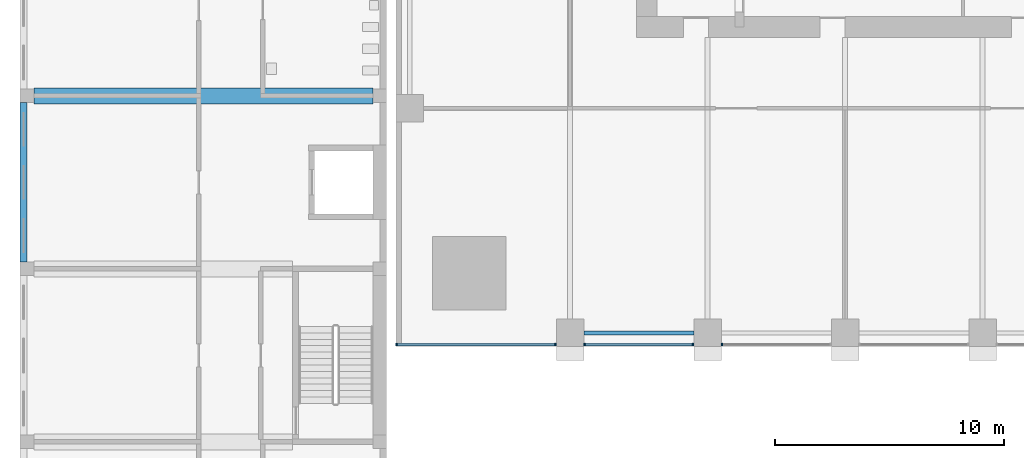
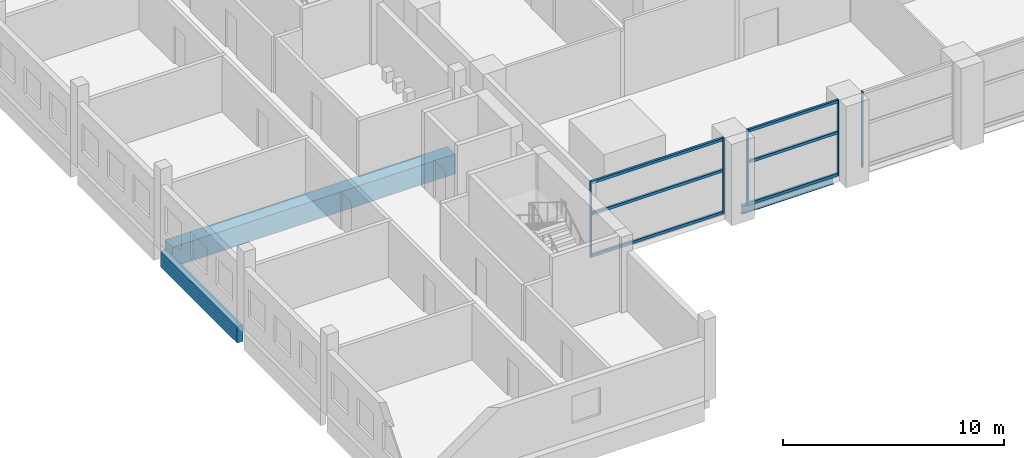
# One storey, part 2 of 25: 11 members, 3 beams, 3 elements without a shape of their own.
"""IFC4 building model written with IfcOpenShell, lengths in metres."""

from ifc_helpers import new_model, si_unit, direction, frame, origin, origin_2d, place, context, subcontext, project, spatial, rectangle, i_section, extrude, material, material_profile, profile_set, type_object, element, aggregate, save


model = new_model("IFC4")

# Units and contexts
model_context = context("Model", 3, precision=1e-05, world=origin(), true_north=direction((0.0, 1.0)))
body_context = subcontext(model_context, "Body", "Model", "MODEL_VIEW")
ifc_project = project(units=[si_unit("LENGTHUNIT", "METRE"), si_unit("AREAUNIT", "SQUARE_METRE"), si_unit("VOLUMEUNIT", "CUBIC_METRE"), si_unit("PLANEANGLEUNIT", "RADIAN"), si_unit("MASSUNIT", "GRAM", prefix="KILO")], contexts=[model_context])

# Site, building, storey
site_placement = place(None, origin())
site = spatial("IfcSite", under=ifc_project, at=site_placement, CompositionType="ELEMENT")
building_placement = place(site_placement, origin())
building = spatial("IfcBuilding", under=site, at=building_placement, Name="Amberfall Residences", CompositionType="ELEMENT")
storey_placement = place(building_placement, frame((0.0, 0.0, 10.0)))
storey = spatial("IfcBuildingStorey", under=building, at=storey_placement, Name="L02", CompositionType="ELEMENT", Elevation=10.0)

# Curtain wall, members
ifc_material_1 = material(Name="Bronze anodised aluminium and glass", Category="aluminium")
curtain_wall_type = type_object("IfcCurtainWallType", Name="Curtain wall CW4 podium storefront", PredefinedType="USERDEFINED", material=ifc_material_1)
curtain_wall_1_placement = place(storey_placement, origin())
curtain_wall_1 = element("IfcCurtainWall", 1, at=curtain_wall_1_placement, inside=storey, type_object=curtain_wall_type, Name="Storefront L02 S1", ObjectType="UNITISED CURTAIN WALL", PredefinedType="USERDEFINED")
ifc_material_2 = material(Name="Bronze anodised aluminium", Category="aluminium")
ifc_material_profile_1 = material_profile(ifc_material_2, rectangle(XDim=0.1201171875, YDim=0.070068359375, at=origin_2d()), Name="CW4 mullion 70 x 120 bronze")
ifc_profile_set_1 = profile_set([ifc_material_profile_1], Name="Bronze anodised aluminium")
member_type_1 = type_object("IfcMemberType", Name="CW4 mullion 70 x 120 bronze", PredefinedType="MULLION", material=ifc_profile_set_1)
member_1_placement = place(storey_placement, frame((52.034912109375, 20.10009765625, 0.0), z_axis=(0.0, 0.0, 1.0), x_axis=(0.0, 1.0, 0.0)))
member_1 = element("IfcMember", 2, at=member_1_placement, type_object=member_type_1, Name="CW4 mullion 1", PredefinedType="MULLION", context=body_context, shape_type="SweptSolid", body=[
    extrude(rectangle(XDim=0.1201171875, YDim=0.070068359375, at=origin_2d()), origin(), (0.0, 0.0, 1.0), 4.199951171875),
])
member_2_placement = place(storey_placement, frame((58.965087890625, 20.10009765625, 0.0), z_axis=(0.0, 0.0, 1.0), x_axis=(0.0, 1.0, 0.0)))
member_2 = element("IfcMember", 3, at=member_2_placement, type_object=member_type_1, Name="CW4 mullion 2", PredefinedType="MULLION", context=body_context, shape_type="SweptSolid", body=[
    extrude(rectangle(XDim=0.1201171875, YDim=0.070068359375, at=origin_2d()), origin(), (0.0, 0.0, 1.0), 4.199951171875),
])

curtain_wall_2_placement = place(storey_placement, origin())
curtain_wall_2 = element("IfcCurtainWall", 4, at=curtain_wall_2_placement, inside=storey, type_object=curtain_wall_type, Name="Storefront L02 S2", ObjectType="UNITISED CURTAIN WALL", PredefinedType="USERDEFINED")
member_3_placement = place(storey_placement, frame((60.235107421875, 20.10009765625, 0.0), z_axis=(0.0, 0.0, 1.0), x_axis=(0.0, 1.0, 0.0)))
member_3 = element("IfcMember", 5, at=member_3_placement, type_object=member_type_1, Name="CW4 mullion 1", PredefinedType="MULLION", context=body_context, shape_type="SweptSolid", body=[
    extrude(rectangle(XDim=0.1201171875, YDim=0.070068359375, at=origin_2d()), origin(), (0.0, 0.0, 1.0), 4.199951171875),
])
member_4_placement = place(storey_placement, frame((64.965087890625, 20.10009765625, 0.0), z_axis=(0.0, 0.0, 1.0), x_axis=(0.0, 1.0, 0.0)))
member_4 = element("IfcMember", 6, at=member_4_placement, type_object=member_type_1, Name="CW4 mullion 2", PredefinedType="MULLION", context=body_context, shape_type="SweptSolid", body=[
    extrude(rectangle(XDim=0.1201171875, YDim=0.070068359375, at=origin_2d()), origin(), (0.0, 0.0, 1.0), 4.199951171875),
])

# Curtain wall, member
curtain_wall_3_placement = place(storey_placement, origin())
curtain_wall_3 = element("IfcCurtainWall", 7, at=curtain_wall_3_placement, inside=storey, type_object=curtain_wall_type, Name="Storefront L02 S3", ObjectType="UNITISED CURTAIN WALL", PredefinedType="USERDEFINED")
member_5_placement = place(storey_placement, frame((66.235107421875, 20.10009765625, 0.0), z_axis=(0.0, 0.0, 1.0), x_axis=(0.0, 1.0, 0.0)))
member_5 = element("IfcMember", 8, at=member_5_placement, type_object=member_type_1, Name="CW4 mullion 1", PredefinedType="MULLION", context=body_context, shape_type="SweptSolid", body=[
    extrude(rectangle(XDim=0.1201171875, YDim=0.070068359375, at=origin_2d()), origin(), (0.0, 0.0, 1.0), 4.199951171875),
])
aggregate(curtain_wall_3, [member_5])

# Member
ifc_material_profile_2 = material_profile(ifc_material_2, rectangle(XDim=0.1201171875, YDim=0.14990234375, at=origin_2d()), Name="CW4 transom 120 x 150 bronze")
ifc_profile_set_2 = profile_set([ifc_material_profile_2], Name="Bronze anodised aluminium")
member_type_2 = type_object("IfcMemberType", Name="CW4 transom 120 x 150 bronze", PredefinedType="USERDEFINED", material=ifc_profile_set_2)
member_6_placement = place(storey_placement, frame((52.070068359375, 20.10009765625, 0.074951171875), z_axis=(1.0, 0.0, 0.0), x_axis=(0.0, 1.0, 0.0)))
member_6 = element("IfcMember", 9, at=member_6_placement, type_object=member_type_2, Name="CW4 transom 1.1", ObjectType="TRANSOM", PredefinedType="USERDEFINED", context=body_context, shape_type="SweptSolid", body=[
    extrude(rectangle(XDim=0.1201171875, YDim=0.14990234375, at=origin_2d()), origin(), (0.0, 0.0, 1.0), 6.85986328125),
])

member_7_placement = place(storey_placement, frame((52.070068359375, 20.10009765625, 2.39990234375), z_axis=(1.0, 0.0, 0.0), x_axis=(0.0, 1.0, 0.0)))
member_7 = element("IfcMember", 10, at=member_7_placement, type_object=member_type_2, Name="CW4 transom 1.2", ObjectType="TRANSOM", PredefinedType="USERDEFINED", context=body_context, shape_type="SweptSolid", body=[
    extrude(rectangle(XDim=0.1201171875, YDim=0.14990234375, at=origin_2d()), origin(), (0.0, 0.0, 1.0), 6.85986328125),
])

member_8_placement = place(storey_placement, frame((52.070068359375, 20.10009765625, 4.125), z_axis=(1.0, 0.0, 0.0), x_axis=(0.0, 1.0, 0.0)))
member_8 = element("IfcMember", 11, at=member_8_placement, type_object=member_type_2, Name="CW4 transom 1.3", ObjectType="TRANSOM", PredefinedType="USERDEFINED", context=body_context, shape_type="SweptSolid", body=[
    extrude(rectangle(XDim=0.1201171875, YDim=0.14990234375, at=origin_2d()), origin(), (0.0, 0.0, 1.0), 6.85986328125),
])

aggregate(curtain_wall_1, [member_1, member_2, member_6, member_7, member_8])

member_9_placement = place(storey_placement, frame((60.27001953125, 20.10009765625, 0.074951171875), z_axis=(1.0, 0.0, 0.0), x_axis=(0.0, 1.0, 0.0)))
member_9 = element("IfcMember", 12, at=member_9_placement, type_object=member_type_2, Name="CW4 transom 1.1", ObjectType="TRANSOM", PredefinedType="USERDEFINED", context=body_context, shape_type="SweptSolid", body=[
    extrude(rectangle(XDim=0.1201171875, YDim=0.14990234375, at=origin_2d()), origin(), (0.0, 0.0, 1.0), 4.659912109375),
])

member_10_placement = place(storey_placement, frame((60.27001953125, 20.10009765625, 2.39990234375), z_axis=(1.0, 0.0, 0.0), x_axis=(0.0, 1.0, 0.0)))
member_10 = element("IfcMember", 13, at=member_10_placement, type_object=member_type_2, Name="CW4 transom 1.2", ObjectType="TRANSOM", PredefinedType="USERDEFINED", context=body_context, shape_type="SweptSolid", body=[
    extrude(rectangle(XDim=0.1201171875, YDim=0.14990234375, at=origin_2d()), origin(), (0.0, 0.0, 1.0), 4.659912109375),
])

member_11_placement = place(storey_placement, frame((60.27001953125, 20.10009765625, 4.125), z_axis=(1.0, 0.0, 0.0), x_axis=(0.0, 1.0, 0.0)))
member_11 = element("IfcMember", 14, at=member_11_placement, type_object=member_type_2, Name="CW4 transom 1.3", ObjectType="TRANSOM", PredefinedType="USERDEFINED", context=body_context, shape_type="SweptSolid", body=[
    extrude(rectangle(XDim=0.1201171875, YDim=0.14990234375, at=origin_2d()), origin(), (0.0, 0.0, 1.0), 4.659912109375),
])

aggregate(curtain_wall_2, [member_3, member_4, member_9, member_10, member_11])

# Beams
ifc_material_3 = material(Name="Steel S355", Category="steel")
ifc_material_profile_3 = material_profile(ifc_material_3, i_section(OverallWidth=0.18994140625, OverallDepth=0.453369140625, WebThickness=0.008544921875, FlangeThickness=0.0126953125, FilletRadius=0.01025390625, at=origin_2d()), Name="UB 457x191x67")
ifc_profile_set_3 = profile_set([ifc_material_profile_3], Name="Steel S355")
beam_type_1 = type_object("IfcBeamType", Name="Edge beam UB 457x191x67", PredefinedType="SPANDREL", material=ifc_profile_set_3)
beam_1_placement = place(storey_placement, frame((60.199951171875, 20.60009765625, -0.526611328125), z_axis=(1.0, 0.0, 0.0), x_axis=(0.0, 1.0, 0.0)))
element("IfcBeam", 15, at=beam_1_placement, inside=storey, type_object=beam_type_1, Name="Edge beam B1 L02 01", PredefinedType="SPANDREL", context=body_context, shape_type="SweptSolid", body=[
    extrude(i_section(OverallWidth=0.18994140625, OverallDepth=0.453369140625, WebThickness=0.008544921875, FlangeThickness=0.0126953125, FilletRadius=0.01025390625, at=origin_2d()), origin(), (0.0, 0.0, 1.0), 4.800048828125),
])
ifc_material_4 = material(Name="Concrete C40", Category="concrete")
ifc_material_profile_4 = material_profile(ifc_material_4, rectangle(XDim=0.699951171875, YDim=1.10009765625, at=origin_2d()), Name="School beam 700 x 1100 C40")
ifc_profile_set_4 = profile_set([ifc_material_profile_4], Name="Concrete C40")
beam_type_2 = type_object("IfcBeamType", Name="School beam 700 x 1100 C40", PredefinedType="BEAM", material=ifc_profile_set_4)
beam_2_placement = place(storey_placement, frame((36.199951171875, 30.949951171875, -0.85009765625), z_axis=(1.0, 0.0, 0.0), x_axis=(0.0, 1.0, 0.0)))
element("IfcBeam", 16, at=beam_2_placement, inside=storey, type_object=beam_type_2, Name="TW3", PredefinedType="BEAM", context=body_context, shape_type="SweptSolid", body=[
    extrude(rectangle(XDim=0.699951171875, YDim=1.10009765625, at=origin_2d()), origin(), (0.0, 0.0, 1.0), 14.800048828125),
])
ifc_material_profile_5 = material_profile(ifc_material_4, rectangle(XDim=0.300048828125, YDim=0.89990234375, at=origin_2d()), Name="School edge beam 300 x 900 C40")
ifc_profile_set_5 = profile_set([ifc_material_profile_5], Name="Concrete C40")
beam_type_3 = type_object("IfcBeamType", Name="School edge beam 300 x 900 C40", PredefinedType="BEAM", material=ifc_profile_set_5)
beam_3_placement = place(storey_placement, frame((35.75, 23.699951171875, -0.75), z_axis=(0.0, 1.0, 0.0), x_axis=(-1.0, 0.0, 0.0)))
element("IfcBeam", 17, at=beam_3_placement, inside=storey, type_object=beam_type_3, Name="GW2", PredefinedType="BEAM", context=body_context, shape_type="SweptSolid", body=[
    extrude(rectangle(XDim=0.300048828125, YDim=0.89990234375, at=origin_2d()), origin(), (0.0, 0.0, 1.0), 6.949951171875),
])

save(model, "model.ifc")
